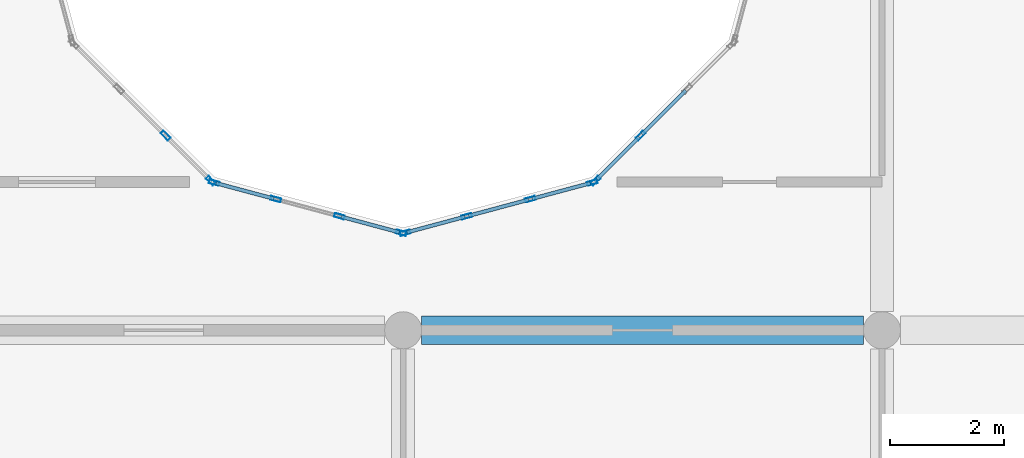
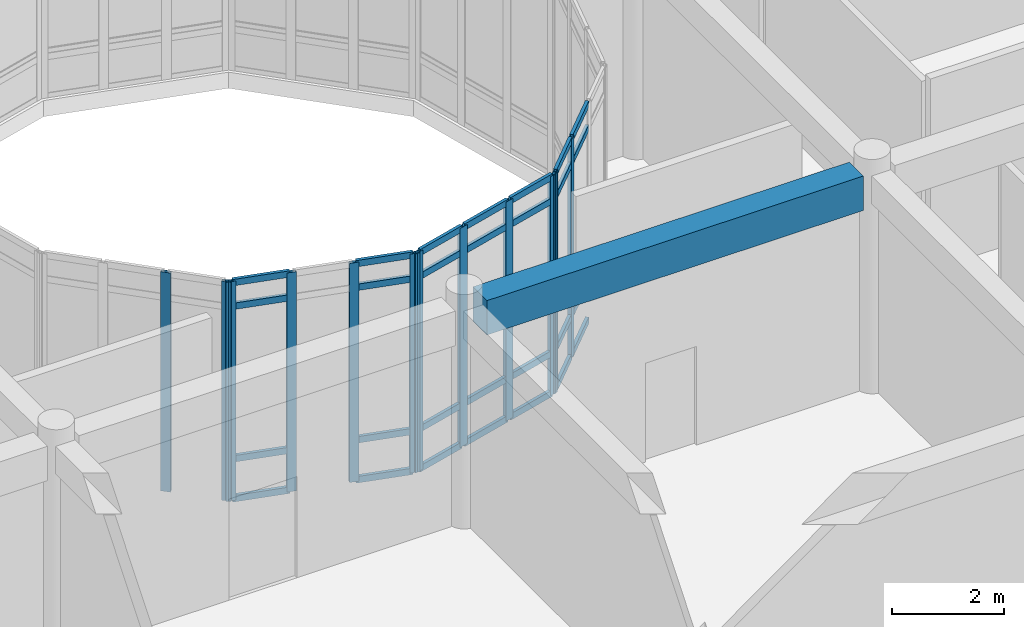
# One storey, part 30 of 134: 40 members, 1 beam, 4 elements without a shape of their own.
"""IFC4 building model written with IfcOpenShell, lengths in metres."""

import ifcopenshell
import ifcopenshell.guid

model = None  # the IFC model being written
_history = None  # IfcOwnerHistory: only IFC2X3 demands one
_inside = {}  # id of a spatial element -> (the spatial element, [elements in it])
_under = {}  # id of a project, library or spatial element -> (it, [spatial elements below it])
_declared = {}  # id of a project -> (the project, [libraries it declares])
_typed = {}  # id of a type object -> (the type object, [elements of that type])
_made_of = {}  # id of a material, layer set ... -> (it, [elements and type objects made of it])


def new_model(schema):
    """Start an empty IFC model of exactly this schema.

    Asked for "IFC4X3", IfcOpenShell would pick the latest addendum, in which some entities
    have other attributes; the version numbers below select the first issue.
    IFC2X3 requires an IfcOwnerHistory on every rooted entity: one is made here for all.
    """
    global model, _history
    if schema == "IFC4X3":
        model = ifcopenshell.file(schema_version=(4, 3, 0, 0))
    else:
        model = ifcopenshell.file(schema=schema)
    _inside.clear()
    _under.clear()
    _declared.clear()
    _typed.clear()
    _made_of.clear()
    _history = None
    if model.schema == "IFC2X3":
        org = make("IfcOrganization", Name="unknown")
        user = make(
            "IfcPersonAndOrganization",
            ThePerson=make("IfcPerson", FamilyName="unknown"),
            TheOrganization=org,
        )
        app = make(
            "IfcApplication",
            ApplicationDeveloper=org,
            Version="unknown",
            ApplicationFullName="unknown",
            ApplicationIdentifier="unknown",
        )
        _history = make(
            "IfcOwnerHistory",
            OwningUser=user,
            OwningApplication=app,
            ChangeAction="ADDED",
            CreationDate=0,
        )
    return model


def make(cls, **values):
    """One entity of the class cls with the attributes given. An attribute that is None is left unset."""
    return model.create_entity(
        cls, **{name: value for name, value in values.items() if value is not None}
    )


def rooted(cls, **values):
    """An entity with a GlobalId (a new one), such as an element, a storey or a relation."""
    return make(cls, GlobalId=ifcopenshell.guid.new(), OwnerHistory=_history, **values)


def si_unit(unit_type, name, prefix=None):
    """IfcSIUnit, for example si_unit("LENGTHUNIT", "METRE", prefix="MILLI")."""
    return make("IfcSIUnit", UnitType=unit_type, Prefix=prefix, Name=name)


def assignment(units):
    """IfcUnitAssignment: the units of a project."""
    return None if units is None else make("IfcUnitAssignment", Units=units)


def point(xyz):
    """IfcCartesianPoint."""
    return None if xyz is None else make("IfcCartesianPoint", Coordinates=xyz)


def direction(xyz):
    """IfcDirection."""
    return None if xyz is None else make("IfcDirection", DirectionRatios=xyz)


def frame(location, z_axis=None, x_axis=None):
    """IfcAxis2Placement3D, a coordinate frame: its origin and axes. An axis left out is left unset."""
    return make(
        "IfcAxis2Placement3D",
        Location=point(location),
        Axis=direction(z_axis),
        RefDirection=direction(x_axis),
    )


def frame_2d(location, x_axis=None):
    """IfcAxis2Placement2D, a coordinate frame in the plane: its origin and x axis."""
    return make(
        "IfcAxis2Placement2D", Location=point(location), RefDirection=direction(x_axis)
    )


def origin():
    """The frame at (0, 0, 0) with its axes left unset."""
    return frame((0.0, 0.0, 0.0))


def origin_2d():
    """The frame at (0, 0) in the plane with its x axis left unset."""
    return frame_2d((0.0, 0.0))


def place(relative_to, where):
    """IfcLocalPlacement: puts the frame where relative to a parent placement (None: the world)."""
    return make(
        "IfcLocalPlacement", PlacementRelTo=relative_to, RelativePlacement=where
    )


def context(
    kind, dimensions, precision=None, world=None, true_north=None, identifier=None
):
    """IfcGeometricRepresentationContext, for example the 3D "Model" context."""
    return make(
        "IfcGeometricRepresentationContext",
        ContextIdentifier=identifier,
        ContextType=kind,
        CoordinateSpaceDimension=dimensions,
        Precision=precision,
        WorldCoordinateSystem=world,
        TrueNorth=true_north,
    )


def subcontext(parent, identifier, kind, view, scale=None):
    """IfcGeometricRepresentationSubContext, for example "Body" below "Model"."""
    return make(
        "IfcGeometricRepresentationSubContext",
        ContextIdentifier=identifier,
        ContextType=kind,
        ParentContext=parent,
        TargetScale=scale,
        TargetView=view,
    )


def project(units=None, contexts=None):
    """IfcProject with its units and contexts."""
    return rooted(
        "IfcProject",
        Name="project",
        RepresentationContexts=contexts,
        UnitsInContext=assignment(units),
    )


def spatial(cls, under=None, at=None, **own):
    """A site, building, storey or space (cls), placed at a placement, below another one or the project."""
    s = rooted(cls, ObjectPlacement=at, **own)
    if under is not None:
        _under.setdefault(under.id(), (under, []))[1].append(s)
    return s


def profile(cls, at=None, kind="AREA", **sizes):
    """A parametric profile (cls). Its sizes go by their IFC names, for example OverallWidth=200.0."""
    return make(cls, ProfileType=kind, Position=at, **sizes)


def rectangle(**sizes):
    """IfcRectangleProfileDef."""
    return profile("IfcRectangleProfileDef", **sizes)


def hollow_rectangle(**sizes):
    """IfcRectangleHollowProfileDef."""
    return profile("IfcRectangleHollowProfileDef", **sizes)


def extrude(swept, where, along, depth):
    """IfcExtrudedAreaSolid: the profile swept, set in the frame where, extruded along a direction by depth."""
    return make(
        "IfcExtrudedAreaSolid",
        SweptArea=swept,
        Position=where,
        ExtrudedDirection=direction(along),
        Depth=depth,
    )


def shape(context_of_items, identifier, shape_type, items):
    """IfcShapeRepresentation: the items that make up one representation, for example the "Body"."""
    return make(
        "IfcShapeRepresentation",
        ContextOfItems=context_of_items,
        RepresentationIdentifier=identifier,
        RepresentationType=shape_type,
        Items=items,
    )


def material(Name=None, Category=None):
    """IfcMaterial."""
    return make("IfcMaterial", Name=Name, Category=Category)


def layer(
    of_material, thickness, ventilated=None, Name=None, Category=None, Priority=None
):
    """IfcMaterialLayer: one layer of a wall or slab, of a material (None: an air gap)."""
    return make(
        "IfcMaterialLayer",
        Material=of_material,
        LayerThickness=thickness,
        IsVentilated=ventilated,
        Name=Name,
        Category=Category,
        Priority=Priority,
    )


def layer_set(layers, Name=None):
    """IfcMaterialLayerSet."""
    return make("IfcMaterialLayerSet", MaterialLayers=layers, LayerSetName=Name)


def material_profile(
    of_material, cross_section, Name=None, Category=None, Priority=None
):
    """IfcMaterialProfile: a cross section and its material."""
    return make(
        "IfcMaterialProfile",
        Name=Name,
        Material=of_material,
        Profile=cross_section,
        Priority=Priority,
        Category=Category,
    )


def profile_set(profiles, Name=None, composite=None):
    """IfcMaterialProfileSet."""
    return make(
        "IfcMaterialProfileSet",
        Name=Name,
        MaterialProfiles=profiles,
        CompositeProfile=composite,
    )


def made_of(thing, what):
    """Note that an element or type object is made of a material, layer set ...; save() writes the relation."""
    if what is not None:
        _made_of.setdefault(what.id(), (what, []))[1].append(thing)
    return thing


def type_object(cls, material=None, **own):
    """A type object (cls), such as IfcWallType, which elements share."""
    return made_of(rooted(cls, **own), material)


def element(
    cls,
    number,
    at=None,
    inside=None,
    cuts=None,
    type_object=None,
    material=None,
    context=None,
    identifier="Body",
    shape_type=None,
    held_by="IfcProductDefinitionShape",
    body=None,
    shapes=None,
    **own,
):
    """One element of the class cls, such as IfcWall. Its Tag is "e" and its number.

    at: its placement. inside: the storey or other place that contains it. cuts: it is an
    opening in that element (IfcRelVoidsElement). A single representation is given by context,
    identifier, shape_type and body (its items); several are given by shapes. held_by: the class
    of the entity that holds the representations. save() writes the other relations.
    """
    e = rooted(cls, Tag="e%d" % number, ObjectPlacement=at, **own)
    if body is not None:
        shapes = [shape(context, identifier, shape_type, body)]
    if shapes is not None:
        e.Representation = make(held_by, Representations=shapes)
    if inside is not None:
        _inside.setdefault(inside.id(), (inside, []))[1].append(e)
    if cuts is not None:
        rooted(
            "IfcRelVoidsElement", RelatingBuildingElement=cuts, RelatedOpeningElement=e
        )
    if type_object is not None:
        _typed.setdefault(type_object.id(), (type_object, []))[1].append(e)
    return made_of(e, material)


def aggregate(whole, parts):
    """IfcRelAggregates: a whole, such as a stair, and the parts it consists of."""
    return rooted("IfcRelAggregates", RelatingObject=whole, RelatedObjects=parts)


def save(model, path):
    """Write the relations noted so far, then the file.

    IfcRelAggregates (storeys below a building ...), IfcRelContainedInSpatialStructure (elements
    in a storey), IfcRelDefinesByType, IfcRelAssociatesMaterial and IfcRelDeclares: one each for
    every whole, place, type object, material and project.
    """
    for whole, parts in _under.values():
        aggregate(whole, parts)
    for where, things in _inside.values():
        rooted(
            "IfcRelContainedInSpatialStructure",
            RelatedElements=things,
            RelatingStructure=where,
        )
    for kind, things in _typed.values():
        rooted("IfcRelDefinesByType", RelatedObjects=things, RelatingType=kind)
    for what, things in _made_of.values():
        rooted("IfcRelAssociatesMaterial", RelatedObjects=things, RelatingMaterial=what)
    for by, libraries in _declared.values():
        rooted("IfcRelDeclares", RelatingContext=by, RelatedDefinitions=libraries)
    model.write(path)


model = new_model("IFC4")

# Units and contexts
model_context = context("Model", 3, precision=1e-05, world=origin(), true_north=direction((0.0, 1.0)))
body_context = subcontext(model_context, "Body", "Model", "MODEL_VIEW")
ifc_project = project(units=[si_unit("LENGTHUNIT", "METRE"), si_unit("AREAUNIT", "SQUARE_METRE"), si_unit("VOLUMEUNIT", "CUBIC_METRE"), si_unit("PLANEANGLEUNIT", "RADIAN"), si_unit("MASSUNIT", "GRAM", prefix="KILO")], contexts=[model_context])

# Site, building, storey
site_placement = place(None, origin())
site = spatial("IfcSite", under=ifc_project, at=site_placement, CompositionType="ELEMENT")
building_placement = place(site_placement, origin())
building = spatial("IfcBuilding", under=site, at=building_placement, Name="Bramfleet General Hospital", CompositionType="ELEMENT")
storey_placement = place(building_placement, frame((0.0, 0.0, 9.300048828125)))
storey = spatial("IfcBuildingStorey", under=building, at=storey_placement, Name="L02", CompositionType="ELEMENT", Elevation=9.300048828125)

# Beam
ifc_material_1 = material(Name="Concrete C35/45", Category="concrete")
ifc_material_profile_1 = material_profile(ifc_material_1, rectangle(XDim=0.5, YDim=0.75, at=origin_2d()), Name="RC BM 750x500")
ifc_profile_set_1 = profile_set([ifc_material_profile_1], Name="Concrete C35/45")
beam_type = type_object("IfcBeamType", Name="BM-RC750", PredefinedType="BEAM", material=ifc_profile_set_1)
beam_placement = place(storey_placement, frame((25.52490234375, 75.60009765625, 4.405029296875), z_axis=(1.0, 0.0, 0.0), x_axis=(0.0, 1.0, 0.0)))
element("IfcBeam", 1, at=beam_placement, inside=storey, type_object=beam_type, Name="L02 Grid Beam X 03-09", PredefinedType="BEAM", context=body_context, shape_type="SweptSolid", body=[
    extrude(rectangle(XDim=0.5, YDim=0.75, at=origin_2d()), origin(), (0.0, 0.0, 1.0), 7.75),
])

# Curtain wall, members
ifc_material_2 = material(Name="Anodised aluminium and low-E triple glazing", Category="aluminium")
ifc_layer_1 = layer(ifc_material_2, 0.179931640625, Name="CWT-CW-14")
ifc_layer_set_1 = layer_set([ifc_layer_1], Name="Anodised aluminium and low-E triple glazing")
curtain_wall_type_1 = type_object("IfcCurtainWallType", Name="CWT-CW-14", PredefinedType="USERDEFINED", material=ifc_layer_set_1)
curtain_wall_1_placement = place(storey_placement, origin())
curtain_wall_1 = element("IfcCurtainWall", 2, at=curtain_wall_1_placement, inside=storey, type_object=curtain_wall_type_1, Name="L02 West Clinical Light Court Curtain Wall 2.1", ObjectType="Stick curtain wall", PredefinedType="USERDEFINED")
ifc_material_3 = material(Name="Anodised aluminium EN AW-6060", Category="aluminium")
ifc_material_profile_2 = material_profile(ifc_material_3, hollow_rectangle(XDim=0.070068359375, YDim=0.179931640625, WallThickness=0.00390625, at=origin_2d()), Name="ALU 180x70x4.0")
ifc_profile_set_2 = profile_set([ifc_material_profile_2], Name="Anodised aluminium EN AW-6060")
member_type_1 = type_object("IfcMemberType", Name="CWM-ALU180", PredefinedType="MULLION", material=ifc_profile_set_2)
member_1_placement = place(storey_placement, frame((21.03271484375, 79.015380859375, 0.0), z_axis=(0.0, 0.0, 1.0), x_axis=(0.707106781187, 0.707106781187, 0.0)))
member_1 = element("IfcMember", 3, at=member_1_placement, type_object=member_type_1, Name="CW-14 mullion 3", PredefinedType="MULLION", context=body_context, shape_type="SweptSolid", body=[
    extrude(hollow_rectangle(XDim=0.070068359375, YDim=0.179931640625, WallThickness=0.00390625, at=origin_2d()), origin(), (0.0, 0.0, 1.0), 4.77001953125),
])
member_2_placement = place(storey_placement, frame((21.8251953125, 78.22265625, 0.0), z_axis=(0.0, 0.0, 1.0), x_axis=(0.707106781187, 0.707106781187, 0.0)))
member_2 = element("IfcMember", 4, at=member_2_placement, type_object=member_type_1, Name="CW-14 mullion 4", PredefinedType="MULLION", context=body_context, shape_type="SweptSolid", body=[
    extrude(hollow_rectangle(XDim=0.070068359375, YDim=0.179931640625, WallThickness=0.00390625, at=origin_2d()), origin(), (0.0, 0.0, 1.0), 4.77001953125),
])
aggregate(curtain_wall_1, [member_1, member_2])

ifc_layer_2 = layer(ifc_material_2, 0.179931640625, Name="CWT-CW-15")
ifc_layer_set_2 = layer_set([ifc_layer_2], Name="Anodised aluminium and low-E triple glazing")
curtain_wall_type_2 = type_object("IfcCurtainWallType", Name="CWT-CW-15", PredefinedType="USERDEFINED", material=ifc_layer_set_2)
curtain_wall_2_placement = place(storey_placement, origin())
curtain_wall_2 = element("IfcCurtainWall", 5, at=curtain_wall_2_placement, inside=storey, type_object=curtain_wall_type_2, Name="L02 West Clinical Light Court Curtain Wall 3.1", ObjectType="Stick curtain wall", PredefinedType="USERDEFINED")
member_3_placement = place(storey_placement, frame((21.8837890625, 78.18896484375, 0.0), z_axis=(0.0, 0.0, 1.0), x_axis=(0.25891863407, 0.965899136003, 0.0)))
member_3 = element("IfcMember", 6, at=member_3_placement, type_object=member_type_1, Name="CW-15 mullion 1", PredefinedType="MULLION", context=body_context, shape_type="SweptSolid", body=[
    extrude(hollow_rectangle(XDim=0.070068359375, YDim=0.179931640625, WallThickness=0.00390625, at=origin_2d()), origin(), (0.0, 0.0, 1.0), 4.77001953125),
])
member_4_placement = place(storey_placement, frame((22.966552734375, 77.898681640625, 0.0), z_axis=(0.0, 0.0, 1.0), x_axis=(0.25891863407, 0.965899136003, 0.0)))
member_4 = element("IfcMember", 7, at=member_4_placement, type_object=member_type_1, Name="CW-15 mullion 2", PredefinedType="MULLION", context=body_context, shape_type="SweptSolid", body=[
    extrude(hollow_rectangle(XDim=0.070068359375, YDim=0.179931640625, WallThickness=0.00390625, at=origin_2d()), origin(), (0.0, 0.0, 1.0), 4.77001953125),
])
member_5_placement = place(storey_placement, frame((24.083251953125, 77.599365234375, 0.0), z_axis=(0.0, 0.0, 1.0), x_axis=(0.25891863407, 0.965899136003, 0.0)))
member_5 = element("IfcMember", 8, at=member_5_placement, type_object=member_type_1, Name="CW-15 mullion 3", PredefinedType="MULLION", context=body_context, shape_type="SweptSolid", body=[
    extrude(hollow_rectangle(XDim=0.070068359375, YDim=0.179931640625, WallThickness=0.00390625, at=origin_2d()), origin(), (0.0, 0.0, 1.0), 4.77001953125),
])
member_6_placement = place(storey_placement, frame((25.166259765625, 77.30908203125, 0.0), z_axis=(0.0, 0.0, 1.0), x_axis=(0.25891863407, 0.965899136003, 0.0)))
member_6 = element("IfcMember", 9, at=member_6_placement, type_object=member_type_1, Name="CW-15 mullion 4", PredefinedType="MULLION", context=body_context, shape_type="SweptSolid", body=[
    extrude(hollow_rectangle(XDim=0.070068359375, YDim=0.179931640625, WallThickness=0.00390625, at=origin_2d()), origin(), (0.0, 0.0, 1.0), 4.77001953125),
])

ifc_layer_3 = layer(ifc_material_2, 0.179931640625, Name="CWT-CW-16")
ifc_layer_set_3 = layer_set([ifc_layer_3], Name="Anodised aluminium and low-E triple glazing")
curtain_wall_type_3 = type_object("IfcCurtainWallType", Name="CWT-CW-16", PredefinedType="USERDEFINED", material=ifc_layer_set_3)
curtain_wall_3_placement = place(storey_placement, origin())
curtain_wall_3 = element("IfcCurtainWall", 10, at=curtain_wall_3_placement, inside=storey, type_object=curtain_wall_type_3, Name="L02 West Clinical Light Court Curtain Wall 4.1", ObjectType="Stick curtain wall", PredefinedType="USERDEFINED")
member_7_placement = place(storey_placement, frame((25.23388671875, 77.30908203125, 0.0), z_axis=(0.0, 0.0, 1.0), x_axis=(-0.25891863407, 0.965899136003, 0.0)))
member_7 = element("IfcMember", 11, at=member_7_placement, type_object=member_type_1, Name="CW-16 mullion 1", PredefinedType="MULLION", context=body_context, shape_type="SweptSolid", body=[
    extrude(hollow_rectangle(XDim=0.070068359375, YDim=0.179931640625, WallThickness=0.00390625, at=origin_2d()), origin(), (0.0, 0.0, 1.0), 4.77001953125),
])
member_8_placement = place(storey_placement, frame((26.316650390625, 77.599365234375, 0.0), z_axis=(0.0, 0.0, 1.0), x_axis=(-0.25891863407, 0.965899136003, 0.0)))
member_8 = element("IfcMember", 12, at=member_8_placement, type_object=member_type_1, Name="CW-16 mullion 2", PredefinedType="MULLION", context=body_context, shape_type="SweptSolid", body=[
    extrude(hollow_rectangle(XDim=0.070068359375, YDim=0.179931640625, WallThickness=0.00390625, at=origin_2d()), origin(), (0.0, 0.0, 1.0), 4.77001953125),
])
member_9_placement = place(storey_placement, frame((27.433349609375, 77.898681640625, 0.0), z_axis=(0.0, 0.0, 1.0), x_axis=(-0.25891863407, 0.965899136003, 0.0)))
member_9 = element("IfcMember", 13, at=member_9_placement, type_object=member_type_1, Name="CW-16 mullion 3", PredefinedType="MULLION", context=body_context, shape_type="SweptSolid", body=[
    extrude(hollow_rectangle(XDim=0.070068359375, YDim=0.179931640625, WallThickness=0.00390625, at=origin_2d()), origin(), (0.0, 0.0, 1.0), 4.77001953125),
])
member_10_placement = place(storey_placement, frame((28.51611328125, 78.18896484375, 0.0), z_axis=(0.0, 0.0, 1.0), x_axis=(-0.25891863407, 0.965899136003, 0.0)))
member_10 = element("IfcMember", 14, at=member_10_placement, type_object=member_type_1, Name="CW-16 mullion 4", PredefinedType="MULLION", context=body_context, shape_type="SweptSolid", body=[
    extrude(hollow_rectangle(XDim=0.070068359375, YDim=0.179931640625, WallThickness=0.00390625, at=origin_2d()), origin(), (0.0, 0.0, 1.0), 4.77001953125),
])

ifc_layer_4 = layer(ifc_material_2, 0.179931640625, Name="CWT-CW-17")
ifc_layer_set_4 = layer_set([ifc_layer_4], Name="Anodised aluminium and low-E triple glazing")
curtain_wall_type_4 = type_object("IfcCurtainWallType", Name="CWT-CW-17", PredefinedType="USERDEFINED", material=ifc_layer_set_4)
curtain_wall_4_placement = place(storey_placement, origin())
curtain_wall_4 = element("IfcCurtainWall", 15, at=curtain_wall_4_placement, inside=storey, type_object=curtain_wall_type_4, Name="L02 West Clinical Light Court Curtain Wall 5.1", ObjectType="Stick curtain wall", PredefinedType="USERDEFINED")
member_11_placement = place(storey_placement, frame((28.57470703125, 78.22265625, 0.0), z_axis=(0.0, 0.0, 1.0), x_axis=(-0.707106781187, 0.707106781187, 0.0)))
member_11 = element("IfcMember", 16, at=member_11_placement, type_object=member_type_1, Name="CW-17 mullion 1", PredefinedType="MULLION", context=body_context, shape_type="SweptSolid", body=[
    extrude(hollow_rectangle(XDim=0.070068359375, YDim=0.179931640625, WallThickness=0.00390625, at=origin_2d()), origin(), (0.0, 0.0, 1.0), 4.77001953125),
])
member_12_placement = place(storey_placement, frame((29.367431640625, 79.015380859375, 0.0), z_axis=(0.0, 0.0, 1.0), x_axis=(-0.707106781187, 0.707106781187, 0.0)))
member_12 = element("IfcMember", 17, at=member_12_placement, type_object=member_type_1, Name="CW-17 mullion 2", PredefinedType="MULLION", context=body_context, shape_type="SweptSolid", body=[
    extrude(hollow_rectangle(XDim=0.070068359375, YDim=0.179931640625, WallThickness=0.00390625, at=origin_2d()), origin(), (0.0, 0.0, 1.0), 4.77001953125),
])

# Member
ifc_material_profile_3 = material_profile(ifc_material_3, hollow_rectangle(XDim=0.06494140625, YDim=0.139892578125, WallThickness=0.00390625, at=origin_2d()), Name="ALU 140x65x4.0")
ifc_profile_set_3 = profile_set([ifc_material_profile_3], Name="Anodised aluminium EN AW-6060")
member_type_2 = type_object("IfcMemberType", Name="CWT-ALU140", PredefinedType="USERDEFINED", material=ifc_profile_set_3)
member_13_placement = place(storey_placement, frame((21.917724609375, 78.179931640625, 0.032470703125), z_axis=(0.965875443458, -0.259007003236, 0.0), x_axis=(0.259007003236, 0.965875443458, 0.0)))
member_13 = element("IfcMember", 18, at=member_13_placement, type_object=member_type_2, Name="CW-15 transom 1.1", ObjectType="TRANSOM", PredefinedType="USERDEFINED", context=body_context, shape_type="SweptSolid", body=[
    extrude(hollow_rectangle(XDim=0.06494140625, YDim=0.139892578125, WallThickness=0.00390625, at=origin_2d()), origin(), (0.0, 0.0, 1.0), 1.051025390625),
])

member_14_placement = place(storey_placement, frame((21.917724609375, 78.179931640625, 0.89990234375), z_axis=(0.965875443458, -0.259007003236, 0.0), x_axis=(0.259007003236, 0.965875443458, 0.0)))
member_14 = element("IfcMember", 19, at=member_14_placement, type_object=member_type_2, Name="CW-15 transom 1.2", ObjectType="TRANSOM", PredefinedType="USERDEFINED", context=body_context, shape_type="SweptSolid", body=[
    extrude(hollow_rectangle(XDim=0.06494140625, YDim=0.139892578125, WallThickness=0.00390625, at=origin_2d()), origin(), (0.0, 0.0, 1.0), 1.051025390625),
])

member_15_placement = place(storey_placement, frame((21.917724609375, 78.179931640625, 4.219970703125), z_axis=(0.965875443458, -0.259007003236, 0.0), x_axis=(0.259007003236, 0.965875443458, 0.0)))
member_15 = element("IfcMember", 20, at=member_15_placement, type_object=member_type_2, Name="CW-15 transom 1.3", ObjectType="TRANSOM", PredefinedType="USERDEFINED", context=body_context, shape_type="SweptSolid", body=[
    extrude(hollow_rectangle(XDim=0.06494140625, YDim=0.139892578125, WallThickness=0.00390625, at=origin_2d()), origin(), (0.0, 0.0, 1.0), 1.051025390625),
])

member_16_placement = place(storey_placement, frame((21.917724609375, 78.179931640625, 4.737548828125), z_axis=(0.965875443458, -0.259007003236, 0.0), x_axis=(0.259007003236, 0.965875443458, 0.0)))
member_16 = element("IfcMember", 21, at=member_16_placement, type_object=member_type_2, Name="CW-15 transom 1.4", ObjectType="TRANSOM", PredefinedType="USERDEFINED", context=body_context, shape_type="SweptSolid", body=[
    extrude(hollow_rectangle(XDim=0.06494140625, YDim=0.139892578125, WallThickness=0.00390625, at=origin_2d()), origin(), (0.0, 0.0, 1.0), 1.051025390625),
])

member_17_placement = place(storey_placement, frame((24.1171875, 77.59033203125, 0.032470703125), z_axis=(0.965875443458, -0.259007003236, 0.0), x_axis=(0.259007003236, 0.965875443458, 0.0)))
member_17 = element("IfcMember", 22, at=member_17_placement, type_object=member_type_2, Name="CW-15 transom 3.1", ObjectType="TRANSOM", PredefinedType="USERDEFINED", context=body_context, shape_type="SweptSolid", body=[
    extrude(hollow_rectangle(XDim=0.06494140625, YDim=0.139892578125, WallThickness=0.00390625, at=origin_2d()), origin(), (0.0, 0.0, 1.0), 1.051025390625),
])

member_18_placement = place(storey_placement, frame((24.1171875, 77.59033203125, 0.89990234375), z_axis=(0.965875443458, -0.259007003236, 0.0), x_axis=(0.259007003236, 0.965875443458, 0.0)))
member_18 = element("IfcMember", 23, at=member_18_placement, type_object=member_type_2, Name="CW-15 transom 3.2", ObjectType="TRANSOM", PredefinedType="USERDEFINED", context=body_context, shape_type="SweptSolid", body=[
    extrude(hollow_rectangle(XDim=0.06494140625, YDim=0.139892578125, WallThickness=0.00390625, at=origin_2d()), origin(), (0.0, 0.0, 1.0), 1.051025390625),
])

member_19_placement = place(storey_placement, frame((24.1171875, 77.59033203125, 4.219970703125), z_axis=(0.965875443458, -0.259007003236, 0.0), x_axis=(0.259007003236, 0.965875443458, 0.0)))
member_19 = element("IfcMember", 24, at=member_19_placement, type_object=member_type_2, Name="CW-15 transom 3.3", ObjectType="TRANSOM", PredefinedType="USERDEFINED", context=body_context, shape_type="SweptSolid", body=[
    extrude(hollow_rectangle(XDim=0.06494140625, YDim=0.139892578125, WallThickness=0.00390625, at=origin_2d()), origin(), (0.0, 0.0, 1.0), 1.051025390625),
])

member_20_placement = place(storey_placement, frame((24.1171875, 77.59033203125, 4.737548828125), z_axis=(0.965875443458, -0.259007003236, 0.0), x_axis=(0.259007003236, 0.965875443458, 0.0)))
member_20 = element("IfcMember", 25, at=member_20_placement, type_object=member_type_2, Name="CW-15 transom 3.4", ObjectType="TRANSOM", PredefinedType="USERDEFINED", context=body_context, shape_type="SweptSolid", body=[
    extrude(hollow_rectangle(XDim=0.06494140625, YDim=0.139892578125, WallThickness=0.00390625, at=origin_2d()), origin(), (0.0, 0.0, 1.0), 1.051025390625),
])

aggregate(curtain_wall_2, [member_3, member_4, member_5, member_6, member_13, member_14, member_15, member_16, member_17, member_18, member_19, member_20])

member_21_placement = place(storey_placement, frame((25.267578125, 77.318115234375, 0.032470703125), z_axis=(0.965891021523, 0.258948903342, 0.0), x_axis=(-0.258948903342, 0.965891021523, 0.0)))
member_21 = element("IfcMember", 26, at=member_21_placement, type_object=member_type_2, Name="CW-16 transom 1.1", ObjectType="TRANSOM", PredefinedType="USERDEFINED", context=body_context, shape_type="SweptSolid", body=[
    extrude(hollow_rectangle(XDim=0.06494140625, YDim=0.139892578125, WallThickness=0.00390625, at=origin_2d()), origin(), (0.0, 0.0, 1.0), 1.05126953125),
])

member_22_placement = place(storey_placement, frame((25.267578125, 77.318115234375, 0.89990234375), z_axis=(0.965891021523, 0.258948903342, 0.0), x_axis=(-0.258948903342, 0.965891021523, 0.0)))
member_22 = element("IfcMember", 27, at=member_22_placement, type_object=member_type_2, Name="CW-16 transom 1.2", ObjectType="TRANSOM", PredefinedType="USERDEFINED", context=body_context, shape_type="SweptSolid", body=[
    extrude(hollow_rectangle(XDim=0.06494140625, YDim=0.139892578125, WallThickness=0.00390625, at=origin_2d()), origin(), (0.0, 0.0, 1.0), 1.05126953125),
])

member_23_placement = place(storey_placement, frame((25.267578125, 77.318115234375, 4.219970703125), z_axis=(0.965891021523, 0.258948903342, 0.0), x_axis=(-0.258948903342, 0.965891021523, 0.0)))
member_23 = element("IfcMember", 28, at=member_23_placement, type_object=member_type_2, Name="CW-16 transom 1.3", ObjectType="TRANSOM", PredefinedType="USERDEFINED", context=body_context, shape_type="SweptSolid", body=[
    extrude(hollow_rectangle(XDim=0.06494140625, YDim=0.139892578125, WallThickness=0.00390625, at=origin_2d()), origin(), (0.0, 0.0, 1.0), 1.05126953125),
])

member_24_placement = place(storey_placement, frame((25.267578125, 77.318115234375, 4.737548828125), z_axis=(0.965891021523, 0.258948903342, 0.0), x_axis=(-0.258948903342, 0.965891021523, 0.0)))
member_24 = element("IfcMember", 29, at=member_24_placement, type_object=member_type_2, Name="CW-16 transom 1.4", ObjectType="TRANSOM", PredefinedType="USERDEFINED", context=body_context, shape_type="SweptSolid", body=[
    extrude(hollow_rectangle(XDim=0.06494140625, YDim=0.139892578125, WallThickness=0.00390625, at=origin_2d()), origin(), (0.0, 0.0, 1.0), 1.05126953125),
])

member_25_placement = place(storey_placement, frame((26.3505859375, 77.6083984375, 0.032470703125), z_axis=(0.965875768108, 0.259005792565, 0.0), x_axis=(-0.259005792565, 0.965875768108, 0.0)))
member_25 = element("IfcMember", 30, at=member_25_placement, type_object=member_type_2, Name="CW-16 transom 2.1", ObjectType="TRANSOM", PredefinedType="USERDEFINED", context=body_context, shape_type="SweptSolid", body=[
    extrude(hollow_rectangle(XDim=0.06494140625, YDim=0.139892578125, WallThickness=0.00390625, at=origin_2d()), origin(), (0.0, 0.0, 1.0), 1.0859375),
])

member_26_placement = place(storey_placement, frame((26.3505859375, 77.6083984375, 0.89990234375), z_axis=(0.965875768108, 0.259005792565, 0.0), x_axis=(-0.259005792565, 0.965875768108, 0.0)))
member_26 = element("IfcMember", 31, at=member_26_placement, type_object=member_type_2, Name="CW-16 transom 2.2", ObjectType="TRANSOM", PredefinedType="USERDEFINED", context=body_context, shape_type="SweptSolid", body=[
    extrude(hollow_rectangle(XDim=0.06494140625, YDim=0.139892578125, WallThickness=0.00390625, at=origin_2d()), origin(), (0.0, 0.0, 1.0), 1.0859375),
])

member_27_placement = place(storey_placement, frame((26.3505859375, 77.6083984375, 4.219970703125), z_axis=(0.965875768108, 0.259005792565, 0.0), x_axis=(-0.259005792565, 0.965875768108, 0.0)))
member_27 = element("IfcMember", 32, at=member_27_placement, type_object=member_type_2, Name="CW-16 transom 2.3", ObjectType="TRANSOM", PredefinedType="USERDEFINED", context=body_context, shape_type="SweptSolid", body=[
    extrude(hollow_rectangle(XDim=0.06494140625, YDim=0.139892578125, WallThickness=0.00390625, at=origin_2d()), origin(), (0.0, 0.0, 1.0), 1.0859375),
])

member_28_placement = place(storey_placement, frame((26.3505859375, 77.6083984375, 4.737548828125), z_axis=(0.965875768108, 0.259005792565, 0.0), x_axis=(-0.259005792565, 0.965875768108, 0.0)))
member_28 = element("IfcMember", 33, at=member_28_placement, type_object=member_type_2, Name="CW-16 transom 2.4", ObjectType="TRANSOM", PredefinedType="USERDEFINED", context=body_context, shape_type="SweptSolid", body=[
    extrude(hollow_rectangle(XDim=0.06494140625, YDim=0.139892578125, WallThickness=0.00390625, at=origin_2d()), origin(), (0.0, 0.0, 1.0), 1.0859375),
])

member_29_placement = place(storey_placement, frame((27.467041015625, 77.90771484375, 0.032470703125), z_axis=(0.965891021523, 0.258948903342, 0.0), x_axis=(-0.258948903342, 0.965891021523, 0.0)))
member_29 = element("IfcMember", 34, at=member_29_placement, type_object=member_type_2, Name="CW-16 transom 3.1", ObjectType="TRANSOM", PredefinedType="USERDEFINED", context=body_context, shape_type="SweptSolid", body=[
    extrude(hollow_rectangle(XDim=0.06494140625, YDim=0.139892578125, WallThickness=0.00390625, at=origin_2d()), origin(), (0.0, 0.0, 1.0), 1.05126953125),
])

member_30_placement = place(storey_placement, frame((27.467041015625, 77.90771484375, 0.89990234375), z_axis=(0.965891021523, 0.258948903342, 0.0), x_axis=(-0.258948903342, 0.965891021523, 0.0)))
member_30 = element("IfcMember", 35, at=member_30_placement, type_object=member_type_2, Name="CW-16 transom 3.2", ObjectType="TRANSOM", PredefinedType="USERDEFINED", context=body_context, shape_type="SweptSolid", body=[
    extrude(hollow_rectangle(XDim=0.06494140625, YDim=0.139892578125, WallThickness=0.00390625, at=origin_2d()), origin(), (0.0, 0.0, 1.0), 1.05126953125),
])

member_31_placement = place(storey_placement, frame((27.467041015625, 77.90771484375, 4.219970703125), z_axis=(0.965891021523, 0.258948903342, 0.0), x_axis=(-0.258948903342, 0.965891021523, 0.0)))
member_31 = element("IfcMember", 36, at=member_31_placement, type_object=member_type_2, Name="CW-16 transom 3.3", ObjectType="TRANSOM", PredefinedType="USERDEFINED", context=body_context, shape_type="SweptSolid", body=[
    extrude(hollow_rectangle(XDim=0.06494140625, YDim=0.139892578125, WallThickness=0.00390625, at=origin_2d()), origin(), (0.0, 0.0, 1.0), 1.05126953125),
])

member_32_placement = place(storey_placement, frame((27.467041015625, 77.90771484375, 4.737548828125), z_axis=(0.965891021523, 0.258948903342, 0.0), x_axis=(-0.258948903342, 0.965891021523, 0.0)))
member_32 = element("IfcMember", 37, at=member_32_placement, type_object=member_type_2, Name="CW-16 transom 3.4", ObjectType="TRANSOM", PredefinedType="USERDEFINED", context=body_context, shape_type="SweptSolid", body=[
    extrude(hollow_rectangle(XDim=0.06494140625, YDim=0.139892578125, WallThickness=0.00390625, at=origin_2d()), origin(), (0.0, 0.0, 1.0), 1.05126953125),
])

aggregate(curtain_wall_3, [member_7, member_8, member_9, member_10, member_21, member_22, member_23, member_24, member_25, member_26, member_27, member_28, member_29, member_30, member_31, member_32])

member_33_placement = place(storey_placement, frame((28.599609375, 78.24755859375, 0.032470703125), z_axis=(0.707106781187, 0.707106781187, 0.0), x_axis=(-0.707106781187, 0.707106781187, 0.0)))
member_33 = element("IfcMember", 38, at=member_33_placement, type_object=member_type_2, Name="CW-17 transom 1.1", ObjectType="TRANSOM", PredefinedType="USERDEFINED", context=body_context, shape_type="SweptSolid", body=[
    extrude(hollow_rectangle(XDim=0.06494140625, YDim=0.139892578125, WallThickness=0.00390625, at=origin_2d()), origin(), (0.0, 0.0, 1.0), 1.050537109375),
])

member_34_placement = place(storey_placement, frame((28.599609375, 78.24755859375, 0.89990234375), z_axis=(0.707106781187, 0.707106781187, 0.0), x_axis=(-0.707106781187, 0.707106781187, 0.0)))
member_34 = element("IfcMember", 39, at=member_34_placement, type_object=member_type_2, Name="CW-17 transom 1.2", ObjectType="TRANSOM", PredefinedType="USERDEFINED", context=body_context, shape_type="SweptSolid", body=[
    extrude(hollow_rectangle(XDim=0.06494140625, YDim=0.139892578125, WallThickness=0.00390625, at=origin_2d()), origin(), (0.0, 0.0, 1.0), 1.050537109375),
])

member_35_placement = place(storey_placement, frame((28.599609375, 78.24755859375, 4.219970703125), z_axis=(0.707106781187, 0.707106781187, 0.0), x_axis=(-0.707106781187, 0.707106781187, 0.0)))
member_35 = element("IfcMember", 40, at=member_35_placement, type_object=member_type_2, Name="CW-17 transom 1.3", ObjectType="TRANSOM", PredefinedType="USERDEFINED", context=body_context, shape_type="SweptSolid", body=[
    extrude(hollow_rectangle(XDim=0.06494140625, YDim=0.139892578125, WallThickness=0.00390625, at=origin_2d()), origin(), (0.0, 0.0, 1.0), 1.050537109375),
])

member_36_placement = place(storey_placement, frame((28.599609375, 78.24755859375, 4.737548828125), z_axis=(0.707106781187, 0.707106781187, 0.0), x_axis=(-0.707106781187, 0.707106781187, 0.0)))
member_36 = element("IfcMember", 41, at=member_36_placement, type_object=member_type_2, Name="CW-17 transom 1.4", ObjectType="TRANSOM", PredefinedType="USERDEFINED", context=body_context, shape_type="SweptSolid", body=[
    extrude(hollow_rectangle(XDim=0.06494140625, YDim=0.139892578125, WallThickness=0.00390625, at=origin_2d()), origin(), (0.0, 0.0, 1.0), 1.050537109375),
])

member_37_placement = place(storey_placement, frame((29.39208984375, 79.0400390625, 0.032470703125), z_axis=(0.707106781187, 0.707106781187, 0.0), x_axis=(-0.707106781187, 0.707106781187, 0.0)))
member_37 = element("IfcMember", 42, at=member_37_placement, type_object=member_type_2, Name="CW-17 transom 2.1", ObjectType="TRANSOM", PredefinedType="USERDEFINED", context=body_context, shape_type="SweptSolid", body=[
    extrude(hollow_rectangle(XDim=0.06494140625, YDim=0.139892578125, WallThickness=0.00390625, at=origin_2d()), origin(), (0.0, 0.0, 1.0), 1.0859375),
])

member_38_placement = place(storey_placement, frame((29.39208984375, 79.0400390625, 0.89990234375), z_axis=(0.707106781187, 0.707106781187, 0.0), x_axis=(-0.707106781187, 0.707106781187, 0.0)))
member_38 = element("IfcMember", 43, at=member_38_placement, type_object=member_type_2, Name="CW-17 transom 2.2", ObjectType="TRANSOM", PredefinedType="USERDEFINED", context=body_context, shape_type="SweptSolid", body=[
    extrude(hollow_rectangle(XDim=0.06494140625, YDim=0.139892578125, WallThickness=0.00390625, at=origin_2d()), origin(), (0.0, 0.0, 1.0), 1.0859375),
])

member_39_placement = place(storey_placement, frame((29.39208984375, 79.0400390625, 4.219970703125), z_axis=(0.707106781187, 0.707106781187, 0.0), x_axis=(-0.707106781187, 0.707106781187, 0.0)))
member_39 = element("IfcMember", 44, at=member_39_placement, type_object=member_type_2, Name="CW-17 transom 2.3", ObjectType="TRANSOM", PredefinedType="USERDEFINED", context=body_context, shape_type="SweptSolid", body=[
    extrude(hollow_rectangle(XDim=0.06494140625, YDim=0.139892578125, WallThickness=0.00390625, at=origin_2d()), origin(), (0.0, 0.0, 1.0), 1.0859375),
])

member_40_placement = place(storey_placement, frame((29.39208984375, 79.0400390625, 4.737548828125), z_axis=(0.707106781187, 0.707106781187, 0.0), x_axis=(-0.707106781187, 0.707106781187, 0.0)))
member_40 = element("IfcMember", 45, at=member_40_placement, type_object=member_type_2, Name="CW-17 transom 2.4", ObjectType="TRANSOM", PredefinedType="USERDEFINED", context=body_context, shape_type="SweptSolid", body=[
    extrude(hollow_rectangle(XDim=0.06494140625, YDim=0.139892578125, WallThickness=0.00390625, at=origin_2d()), origin(), (0.0, 0.0, 1.0), 1.0859375),
])

aggregate(curtain_wall_4, [member_11, member_12, member_33, member_34, member_35, member_36, member_37, member_38, member_39, member_40])

save(model, "model.ifc")
